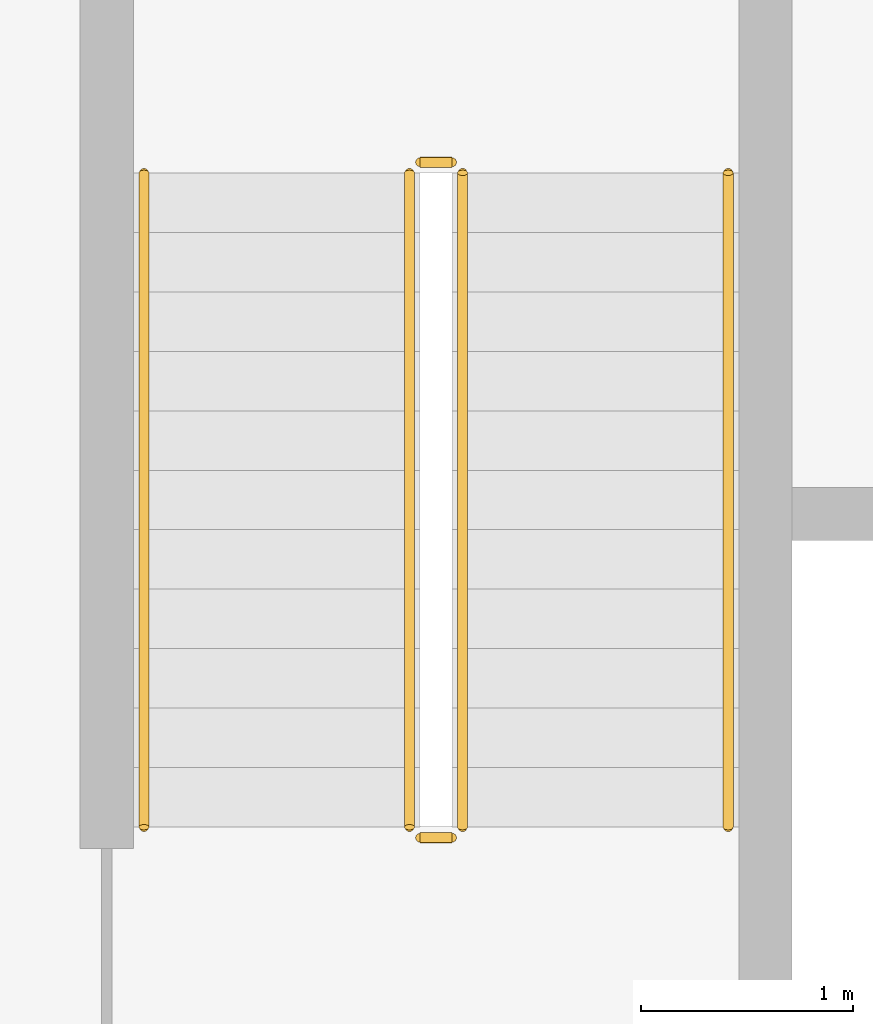
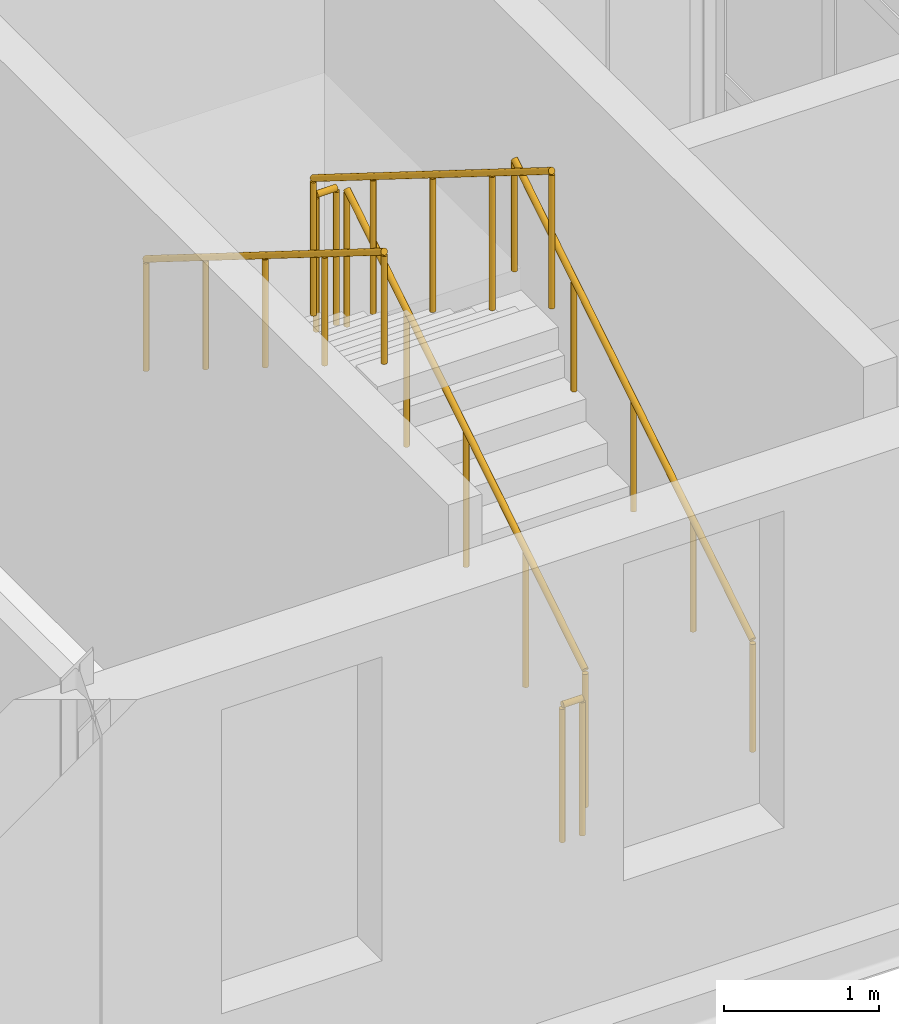
# One storey, part 144 of 154: 6 railings.
"""IFC4 building model written with IfcOpenShell, lengths in metres."""

from ifc_helpers import new_model, si_unit, direction, frame, origin, origin_2d, place, context, subcontext, project, spatial, circle, extrude, material, type_object, element, save


model = new_model("IFC4")

# Units and contexts
model_context = context("Model", 3, precision=1e-05, world=origin(), true_north=direction((0.0, 1.0)))
body_context = subcontext(model_context, "Body", "Model", "MODEL_VIEW")
ifc_project = project(units=[si_unit("LENGTHUNIT", "METRE"), si_unit("AREAUNIT", "SQUARE_METRE"), si_unit("VOLUMEUNIT", "CUBIC_METRE"), si_unit("PLANEANGLEUNIT", "RADIAN"), si_unit("MASSUNIT", "GRAM", prefix="KILO")], contexts=[model_context])

# Site, building, storey
site_placement = place(None, origin())
site = spatial("IfcSite", under=ifc_project, at=site_placement, CompositionType="ELEMENT")
building_placement = place(site_placement, origin())
building = spatial("IfcBuilding", under=site, at=building_placement, Name="Golden Quay Civic Hall", CompositionType="ELEMENT")
storey_placement = place(building_placement, frame((0.0, 0.0, 14.39990234375)))
storey = spatial("IfcBuildingStorey", under=building, at=storey_placement, Name="L03", CompositionType="ELEMENT", Elevation=14.39990234375)

# Railings
ifc_material_1 = material(Name="Steel S355", Category="steel")
railing_type_1 = type_object("IfcRailingType", Name="Steel guard 1100", PredefinedType="GUARDRAIL", material=ifc_material_1)
railing_1_placement = place(storey_placement, frame((49.625, 64.550048828125, 0.175048828125)))
element("IfcRailing", 1, at=railing_1_placement, inside=storey, type_object=railing_type_1, Name="L03 NW-E stair guard 1", PredefinedType="GUARDRAIL", context=body_context, shape_type="SweptSolid", body=[
    extrude(circle(Radius=0.02392578125, at=origin_2d()), frame((0.0, 0.0, 1.076171875), z_axis=(0.0, 0.847979421464, 0.530029150871), x_axis=(-1.0, 0.0, 0.0)), (0.0, 0.0, 1.0), 3.632080078125),
    extrude(circle(Radius=0.02099609375, at=origin_2d()), origin(), (0.0, 0.0, 1.0), 1.052001953125),
    extrude(circle(Radius=0.02099609375, at=origin_2d()), frame((0.0, 0.77001953125, 0.481201171875)), (0.0, 0.0, 1.0), 1.052001953125),
    extrude(circle(Radius=0.02099609375, at=origin_2d()), frame((0.0, 1.5400390625, 0.96240234375)), (0.0, 0.0, 1.0), 1.052001953125),
    extrude(circle(Radius=0.02099609375, at=origin_2d()), frame((0.0, 2.309814453125, 1.44384765625)), (0.0, 0.0, 1.0), 1.052001953125),
    extrude(circle(Radius=0.02099609375, at=origin_2d()), frame((0.0, 3.079833984375, 1.925048828125)), (0.0, 0.0, 1.0), 1.052001953125),
])
railing_2_placement = place(storey_placement, frame((49.574951171875, 67.679931640625, 2.10009765625)))
element("IfcRailing", 2, at=railing_2_placement, inside=storey, type_object=railing_type_1, Name="L03 NW-E stair guard 2", PredefinedType="GUARDRAIL", context=body_context, shape_type="SweptSolid", body=[
    extrude(circle(Radius=0.02392578125, at=origin_2d()), frame((0.0, 0.0, 1.076171875), z_axis=(-1.0, 0.0, 0.0), x_axis=(0.0, -1.0, 0.0)), (0.0, 0.0, 1.0), 0.14990234375),
    extrude(circle(Radius=0.02099609375, at=origin_2d()), origin(), (0.0, 0.0, 1.0), 1.052001953125),
    extrude(circle(Radius=0.02099609375, at=origin_2d()), frame((-0.14990234375, 0.0, 0.0)), (0.0, 0.0, 1.0), 1.052001953125),
])
railing_3_placement = place(storey_placement, frame((49.375, 67.6298828125, 2.275146484375)))
element("IfcRailing", 3, at=railing_3_placement, inside=storey, type_object=railing_type_1, Name="L03 NW-E stair guard 3", PredefinedType="GUARDRAIL", context=body_context, shape_type="SweptSolid", body=[
    extrude(circle(Radius=0.02392578125, at=origin_2d()), frame((0.0, 0.0, 1.076171875), z_axis=(0.0, -0.847979421464, 0.530029150871), x_axis=(1.0, 0.0, 0.0)), (0.0, 0.0, 1.0), 3.632080078125),
    extrude(circle(Radius=0.02099609375, at=origin_2d()), origin(), (0.0, 0.0, 1.0), 1.052001953125),
    extrude(circle(Radius=0.02099609375, at=origin_2d()), frame((0.0, -0.77001953125, 0.481201171875)), (0.0, 0.0, 1.0), 1.052001953125),
    extrude(circle(Radius=0.02099609375, at=origin_2d()), frame((0.0, -1.5400390625, 0.96240234375)), (0.0, 0.0, 1.0), 1.052001953125),
    extrude(circle(Radius=0.02099609375, at=origin_2d()), frame((0.0, -2.309814453125, 1.44384765625)), (0.0, 0.0, 1.0), 1.052001953125),
    extrude(circle(Radius=0.02099609375, at=origin_2d()), frame((0.0, -3.079833984375, 1.925048828125)), (0.0, 0.0, 1.0), 1.052001953125),
])
railing_4_placement = place(storey_placement, frame((49.574951171875, 64.5, 0.0)))
element("IfcRailing", 4, at=railing_4_placement, inside=storey, type_object=railing_type_1, Name="L03 NW-E stair guard 4", PredefinedType="GUARDRAIL", context=body_context, shape_type="SweptSolid", body=[
    extrude(circle(Radius=0.02392578125, at=origin_2d()), frame((0.0, 0.0, 1.076171875), z_axis=(-1.0, 0.0, 0.0), x_axis=(0.0, -1.0, 0.0)), (0.0, 0.0, 1.0), 0.14990234375),
    extrude(circle(Radius=0.02099609375, at=origin_2d()), origin(), (0.0, 0.0, 1.0), 1.052001953125),
    extrude(circle(Radius=0.02099609375, at=origin_2d()), frame((-0.14990234375, 0.0, 0.0)), (0.0, 0.0, 1.0), 1.052001953125),
])
ifc_material_2 = material(Name="Steel S355", Category="steel")
railing_type_2 = type_object("IfcRailingType", Name="Steel handrail 900", PredefinedType="HANDRAIL", material=ifc_material_2)
railing_5_placement = place(storey_placement, frame((50.875, 64.550048828125, 0.175048828125)))
element("IfcRailing", 5, at=railing_5_placement, inside=storey, type_object=railing_type_2, Name="L03 NW-E stair handrail 1", PredefinedType="HANDRAIL", context=body_context, shape_type="SweptSolid", body=[
    extrude(circle(Radius=0.02392578125, at=origin_2d()), frame((0.0, 0.0, 0.8759765625), z_axis=(0.0, 0.847979421464, 0.530029150871), x_axis=(-1.0, 0.0, 0.0)), (0.0, 0.0, 1.0), 3.632080078125),
    extrude(circle(Radius=0.02099609375, at=origin_2d()), origin(), (0.0, 0.0, 1.0), 0.851806640625),
    extrude(circle(Radius=0.02099609375, at=origin_2d()), frame((0.0, 0.77001953125, 0.481201171875)), (0.0, 0.0, 1.0), 0.851806640625),
    extrude(circle(Radius=0.02099609375, at=origin_2d()), frame((0.0, 1.5400390625, 0.96240234375)), (0.0, 0.0, 1.0), 0.851806640625),
    extrude(circle(Radius=0.02099609375, at=origin_2d()), frame((0.0, 2.309814453125, 1.44384765625)), (0.0, 0.0, 1.0), 0.851806640625),
    extrude(circle(Radius=0.02099609375, at=origin_2d()), frame((0.0, 3.079833984375, 1.925048828125)), (0.0, 0.0, 1.0), 0.851806640625),
])
railing_6_placement = place(storey_placement, frame((48.125, 67.6298828125, 2.275146484375)))
element("IfcRailing", 6, at=railing_6_placement, inside=storey, type_object=railing_type_2, Name="L03 NW-E stair handrail 2", PredefinedType="HANDRAIL", context=body_context, shape_type="SweptSolid", body=[
    extrude(circle(Radius=0.02392578125, at=origin_2d()), frame((0.0, 0.0, 0.8759765625), z_axis=(0.0, -0.847979421464, 0.530029150871), x_axis=(1.0, 0.0, 0.0)), (0.0, 0.0, 1.0), 3.632080078125),
    extrude(circle(Radius=0.02099609375, at=origin_2d()), origin(), (0.0, 0.0, 1.0), 0.851806640625),
    extrude(circle(Radius=0.02099609375, at=origin_2d()), frame((0.0, -0.77001953125, 0.481201171875)), (0.0, 0.0, 1.0), 0.851806640625),
    extrude(circle(Radius=0.02099609375, at=origin_2d()), frame((0.0, -1.5400390625, 0.96240234375)), (0.0, 0.0, 1.0), 0.851806640625),
    extrude(circle(Radius=0.02099609375, at=origin_2d()), frame((0.0, -2.309814453125, 1.44384765625)), (0.0, 0.0, 1.0), 0.851806640625),
    extrude(circle(Radius=0.02099609375, at=origin_2d()), frame((0.0, -3.079833984375, 1.925048828125)), (0.0, 0.0, 1.0), 0.851806640625),
])

save(model, "model.ifc")
